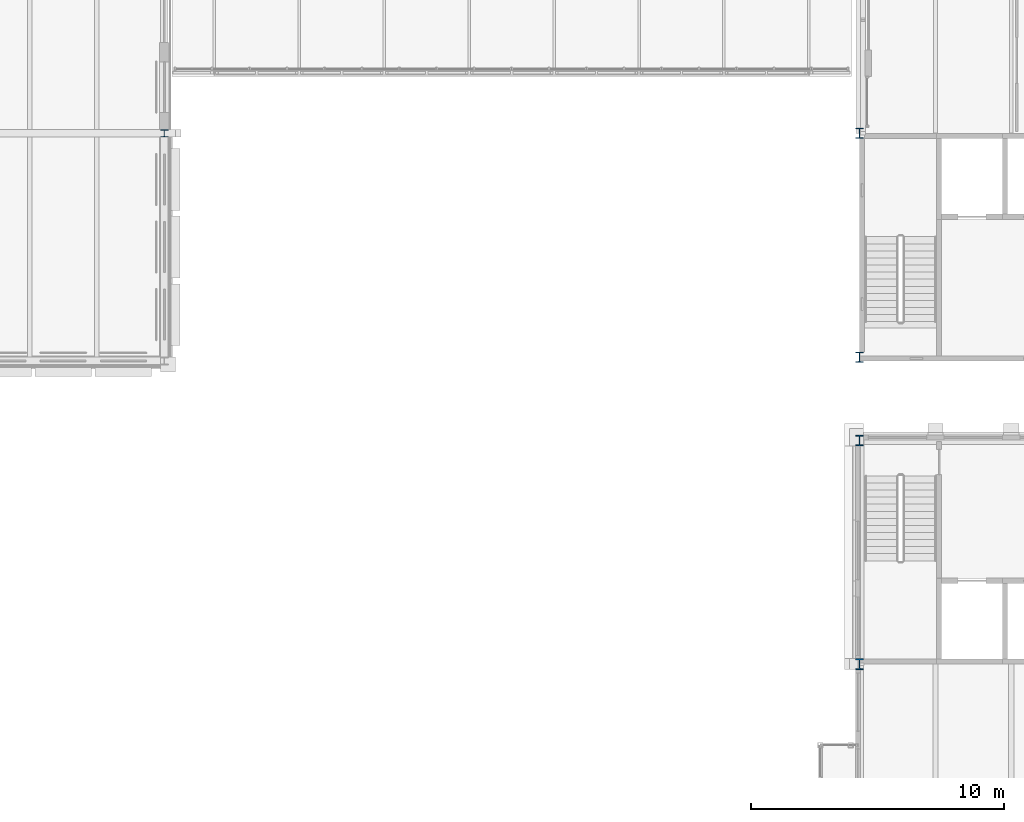
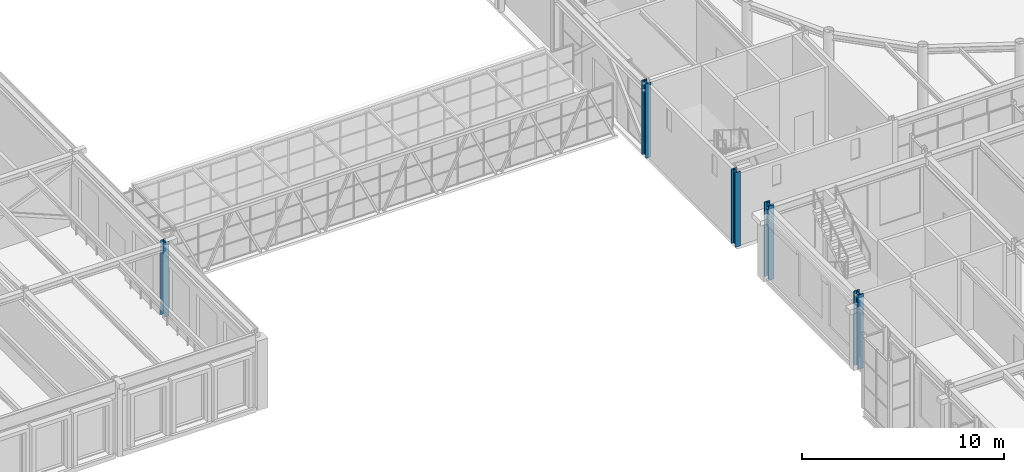
# One storey, part 7 of 149: 5 columns.
"""IFC4 building model written with IfcOpenShell, lengths in metres."""

from ifc_helpers import new_model, si_unit, direction, frame, origin, origin_2d, place, context, subcontext, project, spatial, i_section, extrude, material, material_profile, profile_set, type_object, element, save


model = new_model("IFC4")

# Units and contexts
model_context = context("Model", 3, precision=1e-05, world=origin(), true_north=direction((0.0, 1.0)))
body_context = subcontext(model_context, "Body", "Model", "MODEL_VIEW")
ifc_project = project(units=[si_unit("LENGTHUNIT", "METRE"), si_unit("AREAUNIT", "SQUARE_METRE"), si_unit("VOLUMEUNIT", "CUBIC_METRE"), si_unit("PLANEANGLEUNIT", "RADIAN"), si_unit("MASSUNIT", "GRAM", prefix="KILO")], contexts=[model_context])

# Site, building, storey
site_placement = place(None, origin())
site = spatial("IfcSite", under=ifc_project, at=site_placement, CompositionType="ELEMENT")
building_placement = place(site_placement, origin())
building = spatial("IfcBuilding", under=site, at=building_placement, Name="Kallimachos Central Library", CompositionType="ELEMENT")
storey_placement = place(building_placement, frame((0.0, 0.0, 9.89990234375)))
storey = spatial("IfcBuildingStorey", under=building, at=storey_placement, Name="L02", CompositionType="ELEMENT", Elevation=9.89990234375)

# Columns
ifc_material_1 = material(Name="Steel S355J2", Category="steel")
ifc_material_profile_1 = material_profile(ifc_material_1, i_section(OverallWidth=0.300048828125, OverallDepth=0.2900390625, WebThickness=0.008544921875, FlangeThickness=0.013916015625, FilletRadius=0.027099609375, at=origin_2d()), Name="HEA 300")
ifc_profile_set_1 = profile_set([ifc_material_profile_1], Name="Steel S355J2")
column_type_1 = type_object("IfcColumnType", Name="HEA 300 column", PredefinedType="COLUMN", material=ifc_profile_set_1)
column_placement = place(storey_placement, frame((38.0, 96.0, 0.0), z_axis=(0.0, 0.0, 1.0), x_axis=(1.0, 0.0, 0.0)))
element("IfcColumn", 1, at=column_placement, inside=storey, type_object=column_type_1, Name="V2-COL-L02-018", PredefinedType="COLUMN", context=body_context, shape_type="SweptSolid", body=[
    extrude(i_section(OverallWidth=0.300048828125, OverallDepth=0.2900390625, WebThickness=0.008544921875, FlangeThickness=0.013916015625, FilletRadius=0.027099609375, at=origin_2d()), origin(), (0.0, 0.0, 1.0), 4.5),
])
ifc_material_2 = material(Name="Steel S355J2", Category="steel")
ifc_material_profile_2 = material_profile(ifc_material_2, i_section(OverallWidth=0.300048828125, OverallDepth=0.39990234375, WebThickness=0.013427734375, FlangeThickness=0.02392578125, FilletRadius=0.027099609375, at=origin_2d()), Name="HEB 400")
ifc_profile_set_2 = profile_set([ifc_material_profile_2], Name="Steel S355J2")
column_type_2 = type_object("IfcColumnType", Name="HEB 400 column", PredefinedType="COLUMN", material=ifc_profile_set_2)
for number, where, z_axis, x_axis, name in (
    (2, (65.5, 87.14990234375, 0.0), (0.0, 0.0, 1.0), (1.0, 0.0, 0.0), "V1-COL-L02-001"),
    (3, (65.5, 96.0, 0.0), (0.0, 0.0, 1.0), (1.0, 0.0, 0.0), "V1-COL-L02-007"),
):
    element("IfcColumn", number, at=place(storey_placement, frame(where, z_axis=z_axis, x_axis=x_axis)), inside=storey, type_object=column_type_2, Name=name, PredefinedType="COLUMN", context=body_context, shape_type="SweptSolid", body=[
        extrude(i_section(OverallWidth=0.300048828125, OverallDepth=0.39990234375, WebThickness=0.013427734375, FlangeThickness=0.02392578125, FilletRadius=0.027099609375, at=origin_2d()), origin(), (0.0, 0.0, 1.0), 4.5),
    ])
ifc_material_3 = material(Name="Steel S355J2", Category="steel")
ifc_material_profile_3 = material_profile(ifc_material_3, i_section(OverallWidth=0.306884765625, OverallDepth=0.431884765625, WebThickness=0.02099609375, FlangeThickness=0.0400390625, FilletRadius=0.027099609375, at=origin_2d()), Name="HEM 400")
ifc_profile_set_3 = profile_set([ifc_material_profile_3], Name="Steel S355J2")
column_type_3 = type_object("IfcColumnType", Name="HEM 400 column", PredefinedType="COLUMN", material=ifc_profile_set_3)
for number, where, z_axis, x_axis, name in (
    (4, (65.5, 75.0, 0.0), (0.0, 0.0, 1.0), (1.0, 0.0, 0.0), "V4-COL-L02-011"),
    (5, (65.5, 83.85009765625, 0.0), (0.0, 0.0, 1.0), (1.0, 0.0, 0.0), "V4-COL-L02-017"),
):
    element("IfcColumn", number, at=place(storey_placement, frame(where, z_axis=z_axis, x_axis=x_axis)), inside=storey, type_object=column_type_3, Name=name, PredefinedType="COLUMN", context=body_context, shape_type="SweptSolid", body=[
        extrude(i_section(OverallWidth=0.306884765625, OverallDepth=0.431884765625, WebThickness=0.02099609375, FlangeThickness=0.0400390625, FilletRadius=0.027099609375, at=origin_2d()), origin(), (0.0, 0.0, 1.0), 4.5),
    ])

save(model, "model.ifc")
